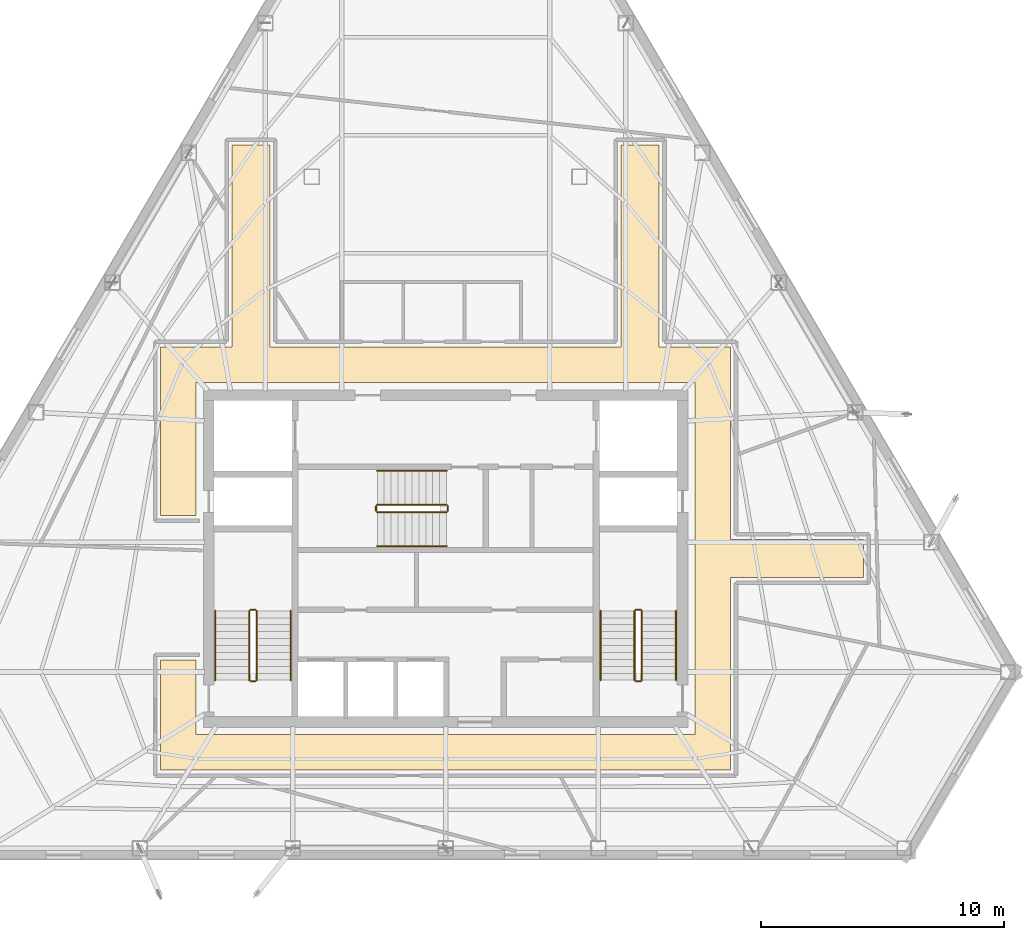
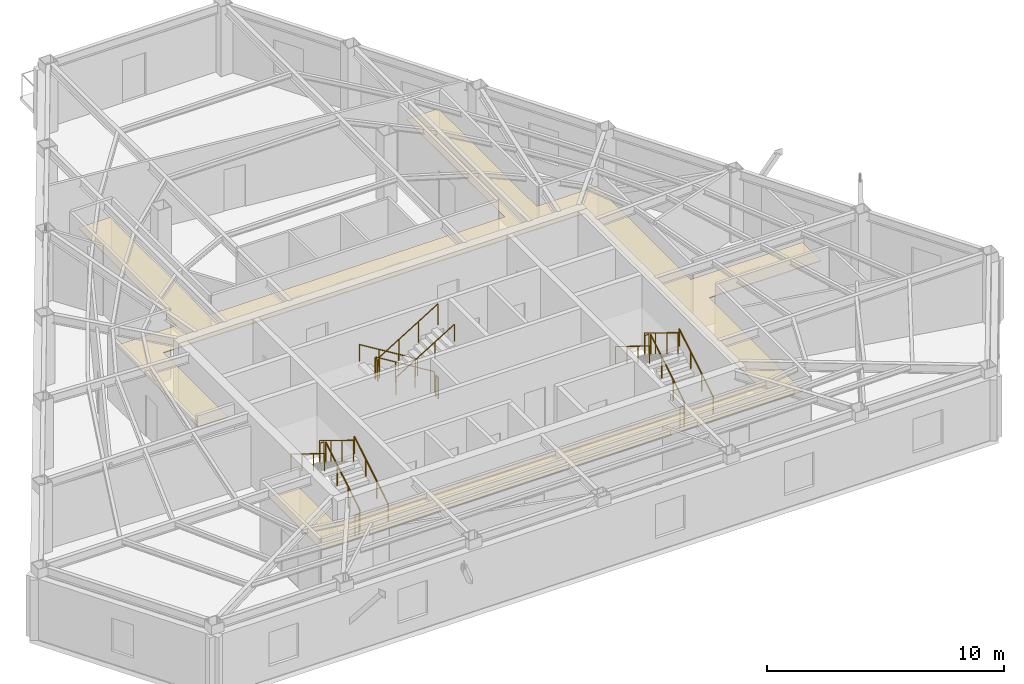
# One storey, part 11 of 12: 18 railings, 1 covering.
"""IFC4 building model written with IfcOpenShell, lengths in metres."""

from ifc_helpers import new_model, si_unit, direction, frame, origin, origin_2d, place, context, subcontext, project, spatial, polyline, circle, outline, extrude, material, layer, layer_set, type_object, element, save


model = new_model("IFC4")

# Units and contexts
model_context = context("Model", 3, precision=1e-05, world=origin(), true_north=direction((0.0, 1.0)))
body_context = subcontext(model_context, "Body", "Model", "MODEL_VIEW")
ifc_project = project(units=[si_unit("LENGTHUNIT", "METRE"), si_unit("AREAUNIT", "SQUARE_METRE"), si_unit("VOLUMEUNIT", "CUBIC_METRE"), si_unit("PLANEANGLEUNIT", "RADIAN"), si_unit("MASSUNIT", "GRAM", prefix="KILO")], contexts=[model_context])

# Site, building, storey
site_placement = place(None, origin())
site = spatial("IfcSite", under=ifc_project, at=site_placement, CompositionType="ELEMENT")
building_placement = place(site_placement, origin())
building = spatial("IfcBuilding", under=site, at=building_placement, Name="Kavelnor Concourse Tower", CompositionType="ELEMENT")
storey_placement = place(building_placement, frame((0.0, 0.0, 203.5)))
storey = spatial("IfcBuildingStorey", under=building, at=storey_placement, Name="L51", CompositionType="ELEMENT", Elevation=203.5)

# Covering
ifc_material_1 = material(Name="Mineral fibre acoustic ceiling tile")
ifc_layer = layer(ifc_material_1, 0.0400390625, Name="Mineral fibre acoustic ceiling tile")
ifc_layer_set = layer_set([ifc_layer], Name="Mineral fibre acoustic ceiling tile")
covering_type = type_object("IfcCoveringType", Name="COV-CEILING-ACOUSTIC", PredefinedType="CEILING", material=ifc_layer_set)
covering_placement = place(storey_placement, frame((0.0, 0.0, 2.75)))
element("IfcCovering", 1, at=covering_placement, inside=storey, type_object=covering_type, Name="L51 Suspended Acoustic Ceiling", PredefinedType="CEILING", context=body_context, shape_type="SweptSolid", body=[
    extrude(outline(polyline([(29.219970703125, 24.800048828125), (29.219970703125, 33.1044921875), (30.780029296875, 33.1044921875), (30.780029296875, 24.800048828125), (45.219970703125, 24.800048828125), (45.219970703125, 33.1044921875), (46.780029296875, 33.1044921875), (46.780029296875, 24.800048828125), (49.719970703125, 24.800048828125), (49.719970703125, 16.8798828125), (55.179931640625, 16.8798828125), (55.179931640625, 15.320068359375), (49.719970703125, 15.320068359375), (49.719970703125, 7.39990234375), (26.280029296875, 7.39990234375), (26.280029296875, 11.929931640625), (27.739990234375, 11.929931640625), (27.739990234375, 8.860107421875), (48.260009765625, 8.860107421875), (48.260009765625, 23.340087890625), (27.739990234375, 23.340087890625), (27.739990234375, 17.8701171875), (26.280029296875, 17.8701171875), (26.280029296875, 24.800048828125), (29.219970703125, 24.800048828125)])), origin(), (0.0, 0.0, 1.0), 0.0400390625),
])

# Railings
ifc_material_2 = material(Name="Steel Grade 350", Category="steel")
railing_type_1 = type_object("IfcRailingType", Name="RLG-GUARD-1100", PredefinedType="GUARDRAIL", material=ifc_material_2)
railing_1_placement = place(storey_placement, frame((30.22998046875, 11.10009765625, 0.175048828125)))
element("IfcRailing", 2, at=railing_1_placement, inside=storey, type_object=railing_type_1, Name="L51 ST1 stair guard 1", PredefinedType="GUARDRAIL", context=body_context, shape_type="SweptSolid", body=[
    extrude(circle(Radius=0.02392578125, at=origin_2d()), frame((0.0, 0.0, 1.076171875), z_axis=(0.0, 0.852159232446, 0.523282564737), x_axis=(-1.0, 0.0, 0.0)), (0.0, 0.0, 1.0), 3.34423828125),
    extrude(circle(Radius=0.02099609375, at=origin_2d()), origin(), (0.0, 0.0, 1.0), 1.052001953125),
    extrude(circle(Radius=0.02099609375, at=origin_2d()), frame((0.0, 0.949951171875, 0.583251953125)), (0.0, 0.0, 1.0), 1.052001953125),
    extrude(circle(Radius=0.02099609375, at=origin_2d()), frame((0.0, 1.89990234375, 1.166748046875)), (0.0, 0.0, 1.0), 1.052001953125),
    extrude(circle(Radius=0.02099609375, at=origin_2d()), frame((0.0, 2.849853515625, 1.75)), (0.0, 0.0, 1.0), 1.052001953125),
])
railing_2_placement = place(storey_placement, frame((30.179931640625, 14.0, 1.925048828125)))
element("IfcRailing", 3, at=railing_2_placement, inside=storey, type_object=railing_type_1, Name="L51 ST1 stair guard 2", PredefinedType="GUARDRAIL", context=body_context, shape_type="SweptSolid", body=[
    extrude(circle(Radius=0.02392578125, at=origin_2d()), frame((0.0, 0.0, 1.076171875), z_axis=(-1.0, 0.0, 0.0), x_axis=(0.0, -1.0, 0.0)), (0.0, 0.0, 1.0), 0.199951171875),
    extrude(circle(Radius=0.02099609375, at=origin_2d()), origin(), (0.0, 0.0, 1.0), 1.052001953125),
    extrude(circle(Radius=0.02099609375, at=origin_2d()), frame((-0.199951171875, 0.0, 0.0)), (0.0, 0.0, 1.0), 1.052001953125),
])
railing_3_placement = place(storey_placement, frame((29.929931640625, 13.949951171875, 2.10009765625)))
element("IfcRailing", 4, at=railing_3_placement, inside=storey, type_object=railing_type_1, Name="L51 ST1 stair guard 3", PredefinedType="GUARDRAIL", context=body_context, shape_type="SweptSolid", body=[
    extrude(circle(Radius=0.02392578125, at=origin_2d()), frame((0.0, 0.0, 1.076171875), z_axis=(0.0, -0.852159232446, 0.523282564737), x_axis=(1.0, 0.0, 0.0)), (0.0, 0.0, 1.0), 3.34423828125),
    extrude(circle(Radius=0.02099609375, at=origin_2d()), origin(), (0.0, 0.0, 1.0), 1.052001953125),
    extrude(circle(Radius=0.02099609375, at=origin_2d()), frame((0.0, -0.949951171875, 0.583251953125)), (0.0, 0.0, 1.0), 1.052001953125),
    extrude(circle(Radius=0.02099609375, at=origin_2d()), frame((0.0, -1.89990234375, 1.166748046875)), (0.0, 0.0, 1.0), 1.052001953125),
    extrude(circle(Radius=0.02099609375, at=origin_2d()), frame((0.0, -2.849853515625, 1.75)), (0.0, 0.0, 1.0), 1.052001953125),
])
railing_4_placement = place(storey_placement, frame((30.179931640625, 11.050048828125, 0.0)))
element("IfcRailing", 5, at=railing_4_placement, inside=storey, type_object=railing_type_1, Name="L51 ST1 stair guard 4", PredefinedType="GUARDRAIL", context=body_context, shape_type="SweptSolid", body=[
    extrude(circle(Radius=0.02392578125, at=origin_2d()), frame((0.0, 0.0, 1.076171875), z_axis=(-1.0, 0.0, 0.0), x_axis=(0.0, -1.0, 0.0)), (0.0, 0.0, 1.0), 0.199951171875),
    extrude(circle(Radius=0.02099609375, at=origin_2d()), origin(), (0.0, 0.0, 1.0), 1.052001953125),
    extrude(circle(Radius=0.02099609375, at=origin_2d()), frame((-0.199951171875, 0.0, 0.0)), (0.0, 0.0, 1.0), 1.052001953125),
])
railing_5_placement = place(storey_placement, frame((46.070068359375, 11.10009765625, 0.175048828125)))
element("IfcRailing", 6, at=railing_5_placement, inside=storey, type_object=railing_type_1, Name="L51 ST2 stair guard 1", PredefinedType="GUARDRAIL", context=body_context, shape_type="SweptSolid", body=[
    extrude(circle(Radius=0.02392578125, at=origin_2d()), frame((0.0, 0.0, 1.076171875), z_axis=(0.0, 0.852159232446, 0.523282564737), x_axis=(-1.0, 0.0, 0.0)), (0.0, 0.0, 1.0), 3.34423828125),
    extrude(circle(Radius=0.02099609375, at=origin_2d()), origin(), (0.0, 0.0, 1.0), 1.052001953125),
    extrude(circle(Radius=0.02099609375, at=origin_2d()), frame((0.0, 0.949951171875, 0.583251953125)), (0.0, 0.0, 1.0), 1.052001953125),
    extrude(circle(Radius=0.02099609375, at=origin_2d()), frame((0.0, 1.89990234375, 1.166748046875)), (0.0, 0.0, 1.0), 1.052001953125),
    extrude(circle(Radius=0.02099609375, at=origin_2d()), frame((0.0, 2.849853515625, 1.75)), (0.0, 0.0, 1.0), 1.052001953125),
])
railing_6_placement = place(storey_placement, frame((46.02001953125, 14.0, 1.925048828125)))
element("IfcRailing", 7, at=railing_6_placement, inside=storey, type_object=railing_type_1, Name="L51 ST2 stair guard 2", PredefinedType="GUARDRAIL", context=body_context, shape_type="SweptSolid", body=[
    extrude(circle(Radius=0.02392578125, at=origin_2d()), frame((0.0, 0.0, 1.076171875), z_axis=(-1.0, 0.0, 0.0), x_axis=(0.0, -1.0, 0.0)), (0.0, 0.0, 1.0), 0.199951171875),
    extrude(circle(Radius=0.02099609375, at=origin_2d()), origin(), (0.0, 0.0, 1.0), 1.052001953125),
    extrude(circle(Radius=0.02099609375, at=origin_2d()), frame((-0.199951171875, 0.0, 0.0)), (0.0, 0.0, 1.0), 1.052001953125),
])
railing_7_placement = place(storey_placement, frame((45.77001953125, 13.949951171875, 2.10009765625)))
element("IfcRailing", 8, at=railing_7_placement, inside=storey, type_object=railing_type_1, Name="L51 ST2 stair guard 3", PredefinedType="GUARDRAIL", context=body_context, shape_type="SweptSolid", body=[
    extrude(circle(Radius=0.02392578125, at=origin_2d()), frame((0.0, 0.0, 1.076171875), z_axis=(0.0, -0.852159232446, 0.523282564737), x_axis=(1.0, 0.0, 0.0)), (0.0, 0.0, 1.0), 3.34423828125),
    extrude(circle(Radius=0.02099609375, at=origin_2d()), origin(), (0.0, 0.0, 1.0), 1.052001953125),
    extrude(circle(Radius=0.02099609375, at=origin_2d()), frame((0.0, -0.949951171875, 0.583251953125)), (0.0, 0.0, 1.0), 1.052001953125),
    extrude(circle(Radius=0.02099609375, at=origin_2d()), frame((0.0, -1.89990234375, 1.166748046875)), (0.0, 0.0, 1.0), 1.052001953125),
    extrude(circle(Radius=0.02099609375, at=origin_2d()), frame((0.0, -2.849853515625, 1.75)), (0.0, 0.0, 1.0), 1.052001953125),
])
railing_8_placement = place(storey_placement, frame((46.02001953125, 11.050048828125, 0.0)))
element("IfcRailing", 9, at=railing_8_placement, inside=storey, type_object=railing_type_1, Name="L51 ST2 stair guard 4", PredefinedType="GUARDRAIL", context=body_context, shape_type="SweptSolid", body=[
    extrude(circle(Radius=0.02392578125, at=origin_2d()), frame((0.0, 0.0, 1.076171875), z_axis=(-1.0, 0.0, 0.0), x_axis=(0.0, -1.0, 0.0)), (0.0, 0.0, 1.0), 0.199951171875),
    extrude(circle(Radius=0.02099609375, at=origin_2d()), origin(), (0.0, 0.0, 1.0), 1.052001953125),
    extrude(circle(Radius=0.02099609375, at=origin_2d()), frame((-0.199951171875, 0.0, 0.0)), (0.0, 0.0, 1.0), 1.052001953125),
])
railing_9_placement = place(storey_placement, frame((38.0400390625, 18.31005859375, 0.175048828125)))
element("IfcRailing", 10, at=railing_9_placement, inside=storey, type_object=railing_type_1, Name="L51 ST3 stair guard 1", PredefinedType="GUARDRAIL", context=body_context, shape_type="SweptSolid", body=[
    extrude(circle(Radius=0.02392578125, at=origin_2d()), frame((0.0, 0.0, 1.076171875), z_axis=(-0.852179220489, 0.0, 0.52325001306), x_axis=(0.0, -1.0, 0.0)), (0.0, 0.0, 1.0), 3.344482421875),
    extrude(circle(Radius=0.02099609375, at=origin_2d()), origin(), (0.0, 0.0, 1.0), 1.052001953125),
    extrude(circle(Radius=0.02099609375, at=origin_2d()), frame((-0.949951171875, 0.0, 0.583251953125)), (0.0, 0.0, 1.0), 1.052001953125),
    extrude(circle(Radius=0.02099609375, at=origin_2d()), frame((-1.900146484375, 0.0, 1.166748046875)), (0.0, 0.0, 1.0), 1.052001953125),
    extrude(circle(Radius=0.02099609375, at=origin_2d()), frame((-2.85009765625, 0.0, 1.75)), (0.0, 0.0, 1.0), 1.052001953125),
])
railing_10_placement = place(storey_placement, frame((35.139892578125, 18.260009765625, 1.925048828125)))
element("IfcRailing", 11, at=railing_10_placement, inside=storey, type_object=railing_type_1, Name="L51 ST3 stair guard 2", PredefinedType="GUARDRAIL", context=body_context, shape_type="SweptSolid", body=[
    extrude(circle(Radius=0.02392578125, at=origin_2d()), frame((0.0, 0.0, 1.076171875), z_axis=(0.0, -1.0, 0.0), x_axis=(1.0, 0.0, 0.0)), (0.0, 0.0, 1.0), 0.199951171875),
    extrude(circle(Radius=0.02099609375, at=origin_2d()), origin(), (0.0, 0.0, 1.0), 1.052001953125),
    extrude(circle(Radius=0.02099609375, at=origin_2d()), frame((0.0, -0.199951171875, 0.0)), (0.0, 0.0, 1.0), 1.052001953125),
])
railing_11_placement = place(storey_placement, frame((35.18994140625, 18.010009765625, 2.10009765625)))
element("IfcRailing", 12, at=railing_11_placement, inside=storey, type_object=railing_type_1, Name="L51 ST3 stair guard 3", PredefinedType="GUARDRAIL", context=body_context, shape_type="SweptSolid", body=[
    extrude(circle(Radius=0.02392578125, at=origin_2d()), frame((0.0, 0.0, 1.076171875), z_axis=(0.852179220489, 0.0, 0.52325001306), x_axis=(0.0, 1.0, 0.0)), (0.0, 0.0, 1.0), 3.344482421875),
    extrude(circle(Radius=0.02099609375, at=origin_2d()), origin(), (0.0, 0.0, 1.0), 1.052001953125),
    extrude(circle(Radius=0.02099609375, at=origin_2d()), frame((0.949951171875, 0.0, 0.583251953125)), (0.0, 0.0, 1.0), 1.052001953125),
    extrude(circle(Radius=0.02099609375, at=origin_2d()), frame((1.900146484375, 0.0, 1.166748046875)), (0.0, 0.0, 1.0), 1.052001953125),
    extrude(circle(Radius=0.02099609375, at=origin_2d()), frame((2.85009765625, 0.0, 1.75)), (0.0, 0.0, 1.0), 1.052001953125),
])
railing_12_placement = place(storey_placement, frame((38.090087890625, 18.260009765625, 0.0)))
element("IfcRailing", 13, at=railing_12_placement, inside=storey, type_object=railing_type_1, Name="L51 ST3 stair guard 4", PredefinedType="GUARDRAIL", context=body_context, shape_type="SweptSolid", body=[
    extrude(circle(Radius=0.02392578125, at=origin_2d()), frame((0.0, 0.0, 1.076171875), z_axis=(0.0, -1.0, 0.0), x_axis=(1.0, 0.0, 0.0)), (0.0, 0.0, 1.0), 0.199951171875),
    extrude(circle(Radius=0.02099609375, at=origin_2d()), origin(), (0.0, 0.0, 1.0), 1.052001953125),
    extrude(circle(Radius=0.02099609375, at=origin_2d()), frame((0.0, -0.199951171875, 0.0)), (0.0, 0.0, 1.0), 1.052001953125),
])
railing_type_2 = type_object("IfcRailingType", Name="RLG-HANDRAIL-900", PredefinedType="HANDRAIL", material=ifc_material_2)
railing_13_placement = place(storey_placement, frame((31.6298828125, 11.10009765625, 0.175048828125)))
element("IfcRailing", 14, at=railing_13_placement, inside=storey, type_object=railing_type_2, Name="L51 ST1 stair handrail 1", PredefinedType="HANDRAIL", context=body_context, shape_type="SweptSolid", body=[
    extrude(circle(Radius=0.02392578125, at=origin_2d()), frame((0.0, 0.0, 0.8759765625), z_axis=(0.0, 0.852159232446, 0.523282564737), x_axis=(-1.0, 0.0, 0.0)), (0.0, 0.0, 1.0), 3.34423828125),
    extrude(circle(Radius=0.02099609375, at=origin_2d()), origin(), (0.0, 0.0, 1.0), 0.851806640625),
    extrude(circle(Radius=0.02099609375, at=origin_2d()), frame((0.0, 0.949951171875, 0.583251953125)), (0.0, 0.0, 1.0), 0.851806640625),
    extrude(circle(Radius=0.02099609375, at=origin_2d()), frame((0.0, 1.89990234375, 1.166748046875)), (0.0, 0.0, 1.0), 0.851806640625),
    extrude(circle(Radius=0.02099609375, at=origin_2d()), frame((0.0, 2.849853515625, 1.75)), (0.0, 0.0, 1.0), 0.851806640625),
])
railing_14_placement = place(storey_placement, frame((28.530029296875, 13.949951171875, 2.10009765625)))
element("IfcRailing", 15, at=railing_14_placement, inside=storey, type_object=railing_type_2, Name="L51 ST1 stair handrail 2", PredefinedType="HANDRAIL", context=body_context, shape_type="SweptSolid", body=[
    extrude(circle(Radius=0.02392578125, at=origin_2d()), frame((0.0, 0.0, 0.8759765625), z_axis=(0.0, -0.852159232446, 0.523282564737), x_axis=(1.0, 0.0, 0.0)), (0.0, 0.0, 1.0), 3.34423828125),
    extrude(circle(Radius=0.02099609375, at=origin_2d()), origin(), (0.0, 0.0, 1.0), 0.851806640625),
    extrude(circle(Radius=0.02099609375, at=origin_2d()), frame((0.0, -0.949951171875, 0.583251953125)), (0.0, 0.0, 1.0), 0.851806640625),
    extrude(circle(Radius=0.02099609375, at=origin_2d()), frame((0.0, -1.89990234375, 1.166748046875)), (0.0, 0.0, 1.0), 0.851806640625),
    extrude(circle(Radius=0.02099609375, at=origin_2d()), frame((0.0, -2.849853515625, 1.75)), (0.0, 0.0, 1.0), 0.851806640625),
])
railing_15_placement = place(storey_placement, frame((47.469970703125, 11.10009765625, 0.175048828125)))
element("IfcRailing", 16, at=railing_15_placement, inside=storey, type_object=railing_type_2, Name="L51 ST2 stair handrail 1", PredefinedType="HANDRAIL", context=body_context, shape_type="SweptSolid", body=[
    extrude(circle(Radius=0.02392578125, at=origin_2d()), frame((0.0, 0.0, 0.8759765625), z_axis=(0.0, 0.852159232446, 0.523282564737), x_axis=(-1.0, 0.0, 0.0)), (0.0, 0.0, 1.0), 3.34423828125),
    extrude(circle(Radius=0.02099609375, at=origin_2d()), origin(), (0.0, 0.0, 1.0), 0.851806640625),
    extrude(circle(Radius=0.02099609375, at=origin_2d()), frame((0.0, 0.949951171875, 0.583251953125)), (0.0, 0.0, 1.0), 0.851806640625),
    extrude(circle(Radius=0.02099609375, at=origin_2d()), frame((0.0, 1.89990234375, 1.166748046875)), (0.0, 0.0, 1.0), 0.851806640625),
    extrude(circle(Radius=0.02099609375, at=origin_2d()), frame((0.0, 2.849853515625, 1.75)), (0.0, 0.0, 1.0), 0.851806640625),
])
railing_16_placement = place(storey_placement, frame((44.3701171875, 13.949951171875, 2.10009765625)))
element("IfcRailing", 17, at=railing_16_placement, inside=storey, type_object=railing_type_2, Name="L51 ST2 stair handrail 2", PredefinedType="HANDRAIL", context=body_context, shape_type="SweptSolid", body=[
    extrude(circle(Radius=0.02392578125, at=origin_2d()), frame((0.0, 0.0, 0.8759765625), z_axis=(0.0, -0.852159232446, 0.523282564737), x_axis=(1.0, 0.0, 0.0)), (0.0, 0.0, 1.0), 3.34423828125),
    extrude(circle(Radius=0.02099609375, at=origin_2d()), origin(), (0.0, 0.0, 1.0), 0.851806640625),
    extrude(circle(Radius=0.02099609375, at=origin_2d()), frame((0.0, -0.949951171875, 0.583251953125)), (0.0, 0.0, 1.0), 0.851806640625),
    extrude(circle(Radius=0.02099609375, at=origin_2d()), frame((0.0, -1.89990234375, 1.166748046875)), (0.0, 0.0, 1.0), 0.851806640625),
    extrude(circle(Radius=0.02099609375, at=origin_2d()), frame((0.0, -2.849853515625, 1.75)), (0.0, 0.0, 1.0), 0.851806640625),
])
railing_17_placement = place(storey_placement, frame((38.0400390625, 19.7099609375, 0.175048828125)))
element("IfcRailing", 18, at=railing_17_placement, inside=storey, type_object=railing_type_2, Name="L51 ST3 stair handrail 1", PredefinedType="HANDRAIL", context=body_context, shape_type="SweptSolid", body=[
    extrude(circle(Radius=0.02392578125, at=origin_2d()), frame((0.0, 0.0, 0.8759765625), z_axis=(-0.852179220489, 0.0, 0.52325001306), x_axis=(0.0, -1.0, 0.0)), (0.0, 0.0, 1.0), 3.344482421875),
    extrude(circle(Radius=0.02099609375, at=origin_2d()), origin(), (0.0, 0.0, 1.0), 0.851806640625),
    extrude(circle(Radius=0.02099609375, at=origin_2d()), frame((-0.949951171875, 0.0, 0.583251953125)), (0.0, 0.0, 1.0), 0.851806640625),
    extrude(circle(Radius=0.02099609375, at=origin_2d()), frame((-1.900146484375, 0.0, 1.166748046875)), (0.0, 0.0, 1.0), 0.851806640625),
    extrude(circle(Radius=0.02099609375, at=origin_2d()), frame((-2.85009765625, 0.0, 1.75)), (0.0, 0.0, 1.0), 0.851806640625),
])
railing_18_placement = place(storey_placement, frame((35.18994140625, 16.610107421875, 2.10009765625)))
element("IfcRailing", 19, at=railing_18_placement, inside=storey, type_object=railing_type_2, Name="L51 ST3 stair handrail 2", PredefinedType="HANDRAIL", context=body_context, shape_type="SweptSolid", body=[
    extrude(circle(Radius=0.02392578125, at=origin_2d()), frame((0.0, 0.0, 0.8759765625), z_axis=(0.852179220489, 0.0, 0.52325001306), x_axis=(0.0, 1.0, 0.0)), (0.0, 0.0, 1.0), 3.344482421875),
    extrude(circle(Radius=0.02099609375, at=origin_2d()), origin(), (0.0, 0.0, 1.0), 0.851806640625),
    extrude(circle(Radius=0.02099609375, at=origin_2d()), frame((0.949951171875, 0.0, 0.583251953125)), (0.0, 0.0, 1.0), 0.851806640625),
    extrude(circle(Radius=0.02099609375, at=origin_2d()), frame((1.900146484375, 0.0, 1.166748046875)), (0.0, 0.0, 1.0), 0.851806640625),
    extrude(circle(Radius=0.02099609375, at=origin_2d()), frame((2.85009765625, 0.0, 1.75)), (0.0, 0.0, 1.0), 0.851806640625),
])

save(model, "model.ifc")
